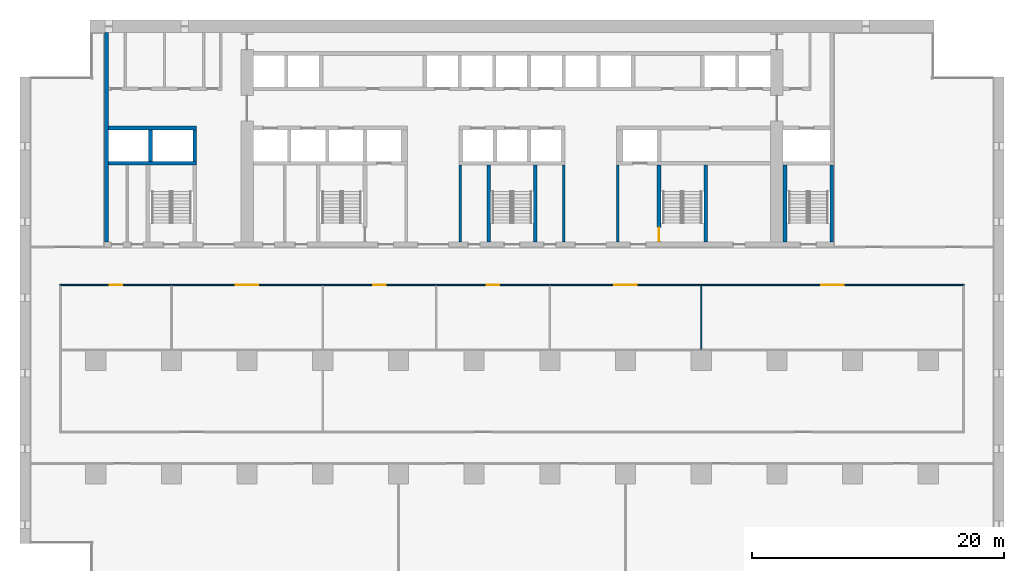
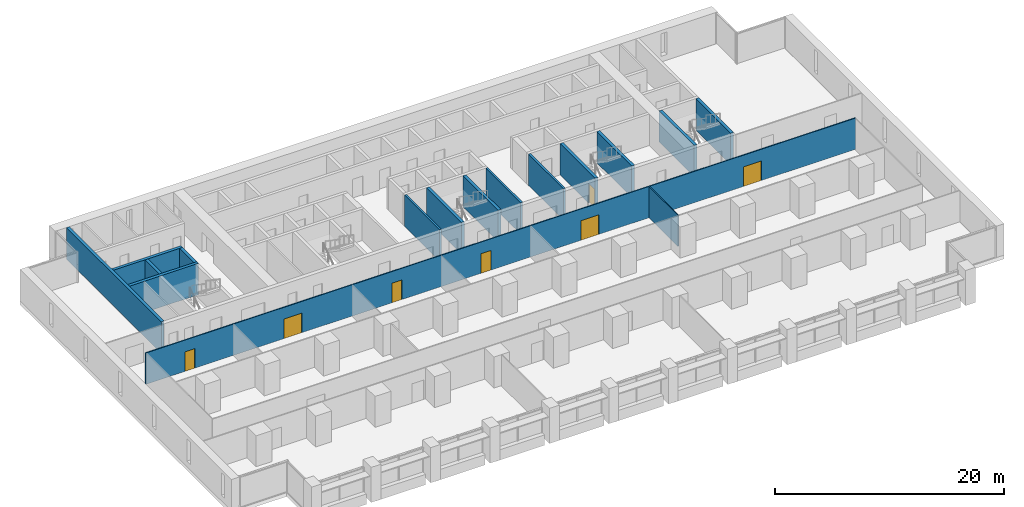
# One storey, part 10 of 17: 16 walls, 7 doors, 7 openings.
"""IFC4 building model written with IfcOpenShell, lengths in metres."""

from ifc_helpers import new_model, si_unit, direction, frame, frame_2d, origin, place, context, subcontext, project, spatial, rectangle, extrude, material, layer, layer_set, type_object, element, fill, save


model = new_model("IFC4")

# Units and contexts
model_context = context("Model", 3, precision=1e-05, world=origin(), true_north=direction((0.0, 1.0)))
body_context = subcontext(model_context, "Body", "Model", "MODEL_VIEW")
ifc_project = project(units=[si_unit("LENGTHUNIT", "METRE"), si_unit("AREAUNIT", "SQUARE_METRE"), si_unit("VOLUMEUNIT", "CUBIC_METRE"), si_unit("PLANEANGLEUNIT", "RADIAN"), si_unit("MASSUNIT", "GRAM", prefix="KILO")], contexts=[model_context])

# Site, building, storey
site_placement = place(None, origin())
site = spatial("IfcSite", under=ifc_project, at=site_placement, CompositionType="ELEMENT")
building_placement = place(site_placement, origin())
building = spatial("IfcBuilding", under=site, at=building_placement, Name="Calvaro Tower", CompositionType="ELEMENT")
storey_placement = place(building_placement, frame((0.0, 0.0, 67.5)))
storey = spatial("IfcBuildingStorey", under=building, at=storey_placement, Name="L16", CompositionType="ELEMENT", Elevation=67.5)

# Walls
ifc_material_1 = material(Name="Blockwork partition", Category="masonry")
ifc_layer_1 = layer(ifc_material_1, 0.199951171875)
ifc_layer_set_1 = layer_set([ifc_layer_1], Name="Blockwork partition")
wall_type_1 = type_object("IfcWallType", Name="Core partition 200 REI 120", PredefinedType="PARTITIONING", material=ifc_layer_set_1)
for number, where, z_axis, x_axis, name in (
    (1, (34.89990234375, 28.39990234375, 0.0), (0.0, 0.0, 1.0), (0.0, 1.0, 0.0), "Core partition"),
    (2, (43.10009765625, 28.39990234375, 0.0), (0.0, 0.0, 1.0), (0.0, 1.0, 0.0), "Core partition"),
    (3, (47.39990234375, 28.39990234375, 0.0), (0.0, 0.0, 1.0), (0.0, 1.0, 0.0), "Core partition"),
):
    element("IfcWall", number, at=place(storey_placement, frame(where, z_axis=z_axis, x_axis=x_axis)), inside=storey, type_object=wall_type_1, Name=name, PredefinedType="PARTITIONING", context=body_context, shape_type="SweptSolid", body=[
        extrude(rectangle(XDim=6.10009765625, YDim=0.199951171875, at=frame_2d((3.050048828125, 0.0))), origin(), (0.0, 0.0, 1.0), 3.35009765625),
    ])
ifc_material_2 = material(Name="Concrete C80/95", Category="concrete")
ifc_layer_2 = layer(ifc_material_2, 0.300048828125)
ifc_layer_set_2 = layer_set([ifc_layer_2], Name="Concrete C80/95")
wall_type_2 = type_object("IfcWallType", Name="Core wall C80/95 300", PredefinedType="SHEAR", material=ifc_layer_set_2)
wall_1_placement = place(storey_placement, frame((6.85009765625, 28.39990234375, 0.0), z_axis=(0.0, 0.0, 1.0), x_axis=(0.0, 1.0, 0.0)))
element("IfcWall", 4, at=wall_1_placement, inside=storey, type_object=wall_type_2, Name="Core wall, boundary", PredefinedType="SHEAR", context=body_context, shape_type="SweptSolid", body=[
    extrude(rectangle(XDim=16.60009765625, YDim=0.300048828125, at=frame_2d((8.300048828125, 0.0))), origin(), (0.0, 0.0, 1.0), 3.35009765625),
])
for number, where, z_axis, x_axis, name in (
    (5, (37.14990234375, 28.39990234375, 0.0), (0.0, 0.0, 1.0), (0.0, 1.0, 0.0), "Core wall, stair enclosure"),
    (6, (40.85009765625, 28.39990234375, 0.0), (0.0, 0.0, 1.0), (0.0, 1.0, 0.0), "Core wall, stair enclosure"),
):
    element("IfcWall", number, at=place(storey_placement, frame(where, z_axis=z_axis, x_axis=x_axis)), inside=storey, type_object=wall_type_2, Name=name, PredefinedType="SHEAR", context=body_context, shape_type="SweptSolid", body=[
        extrude(rectangle(XDim=6.10009765625, YDim=0.300048828125, at=frame_2d((3.050048828125, 0.0))), origin(), (0.0, 0.0, 1.0), 3.35009765625),
    ])

# Wall, opening, door
wall_2_placement = place(storey_placement, frame((50.64990234375, 34.5, 0.0), z_axis=(0.0, 0.0, 1.0), x_axis=(0.0, -1.0, 0.0)))
wall_2 = element("IfcWall", 7, at=wall_2_placement, inside=storey, type_object=wall_type_2, Name="Core wall, stair enclosure", PredefinedType="SHEAR", context=body_context, shape_type="SweptSolid", body=[
    extrude(rectangle(XDim=6.10009765625, YDim=0.300048828125, at=frame_2d((3.050048828125, 0.0))), origin(), (0.0, 0.0, 1.0), 3.35009765625),
])
opening_1_placement = place(wall_2_placement, frame((4.949951171875, 0.0, 0.0)))
opening_1 = element("IfcOpeningElement", 8, at=opening_1_placement, cuts=wall_2, Name="Opening FD11D", PredefinedType="OPENING", context=body_context, shape_type="SweptSolid", body=[
    extrude(rectangle(XDim=1.10009765625, YDim=2.10009765625, at=frame_2d((0.550048828125, 1.050048828125))), frame((0.0, 0.159912109375, 0.0), z_axis=(0.0, -1.0, 0.0), x_axis=(1.0, 0.0, 0.0)), (0.0, 0.0, 1.0), 0.320068359375),
])
ifc_material_3 = material(Name="Steel door set", Category="steel")
door_type_1 = type_object("IfcDoorType", Name="Fire door 1100 FD30S", OperationType="SINGLE_SWING_LEFT", PredefinedType="DOOR", material=ifc_material_3)
door_1_placement = place(opening_1_placement, origin())
door_1 = element("IfcDoor", 9, at=door_1_placement, inside=storey, type_object=door_type_1, Name="Fire door", OperationType="SINGLE_SWING_RIGHT", OverallHeight=2.10009765625, OverallWidth=1.10009765625, PredefinedType="DOOR", context=body_context, shape_type="SweptSolid", body=[
    extrude(rectangle(XDim=1.10009765625, YDim=2.10009765625, at=frame_2d((0.550048828125, 1.050048828125))), frame((0.0, 0.02490234375, 0.0), z_axis=(0.0, -1.0, 0.0), x_axis=(1.0, 0.0, 0.0)), (0.0, 0.0, 1.0), 0.050048828125),
])
fill(opening_1, door_1)

# Walls
for number, where, z_axis, x_axis, name in (
    (10, (54.35009765625, 28.39990234375, 0.0), (0.0, 0.0, 1.0), (0.0, 1.0, 0.0), "Core wall, stair enclosure"),
    (11, (60.64990234375, 28.39990234375, 0.0), (0.0, 0.0, 1.0), (0.0, 1.0, 0.0), "Core wall, stair enclosure"),
    (12, (64.35009765625, 28.39990234375, 0.0), (0.0, 0.0, 1.0), (0.0, 1.0, 0.0), "Core wall, stair enclosure"),
):
    element("IfcWall", number, at=place(storey_placement, frame(where, z_axis=z_axis, x_axis=x_axis)), inside=storey, type_object=wall_type_2, Name=name, PredefinedType="SHEAR", context=body_context, shape_type="SweptSolid", body=[
        extrude(rectangle(XDim=6.10009765625, YDim=0.300048828125, at=frame_2d((3.050048828125, 0.0))), origin(), (0.0, 0.0, 1.0), 3.35009765625),
    ])
for number, where, z_axis, x_axis, name in (
    (13, (7.0, 34.64990234375, 0.0), (0.0, 0.0, 1.0), (1.0, 0.0, 0.0), "Core wall, lift shaft"),
    (14, (7.0, 37.449951171875, 0.0), (0.0, 0.0, 1.0), (1.0, 0.0, 0.0), "Core wall, lift shaft"),
):
    element("IfcWall", number, at=place(storey_placement, frame(where, z_axis=z_axis, x_axis=x_axis)), inside=storey, type_object=wall_type_2, Name=name, PredefinedType="SHEAR", context=body_context, shape_type="SweptSolid", body=[
        extrude(rectangle(XDim=7.0, YDim=0.300048828125, at=frame_2d((3.5, 0.0))), origin(), (0.0, 0.0, 1.0), 3.35009765625),
    ])
for number, where, z_axis, x_axis, name in (
    (15, (13.85009765625, 34.800048828125, 0.0), (0.0, 0.0, 1.0), (0.0, 1.0, 0.0), "Core wall, lift shaft"),
    (16, (10.35009765625, 34.800048828125, 0.0), (0.0, 0.0, 1.0), (0.0, 1.0, 0.0), "Core wall, lift shaft"),
):
    element("IfcWall", number, at=place(storey_placement, frame(where, z_axis=z_axis, x_axis=x_axis)), inside=storey, type_object=wall_type_2, Name=name, PredefinedType="SHEAR", context=body_context, shape_type="SweptSolid", body=[
        extrude(rectangle(XDim=2.5, YDim=0.300048828125, at=frame_2d((1.25, 0.0))), origin(), (0.0, 0.0, 1.0), 3.35009765625),
    ])
ifc_material_4 = material(Name="Plasterboard on steel studs", Category="steel")
ifc_layer_3 = layer(ifc_material_4, 0.10009765625)
ifc_layer_set_3 = layer_set([ifc_layer_3], Name="Plasterboard on steel studs")
wall_type_3 = type_object("IfcWallType", Name="Partition 100", PredefinedType="PARTITIONING", material=ifc_layer_set_3)
wall_3_placement = place(storey_placement, frame((54.0, 19.89990234375, 0.0), z_axis=(0.0, 0.0, 1.0), x_axis=(0.0, 1.0, 0.0)))
element("IfcWall", 17, at=wall_3_placement, inside=storey, type_object=wall_type_3, Name="Partition T13.W015", PredefinedType="PARTITIONING", context=body_context, shape_type="SweptSolid", body=[
    extrude(rectangle(XDim=5.050048828125, YDim=0.10009765625, at=frame_2d((2.52490234375, 0.0))), origin(), (0.0, 0.0, 1.0), 3.35009765625),
])

# Wall, openings, doors
ifc_material_5 = material(Name="Plasterboard on steel studs", Category="steel")
ifc_layer_4 = layer(ifc_material_5, 0.10009765625)
ifc_layer_set_4 = layer_set([ifc_layer_4], Name="Plasterboard on steel studs")
wall_type_4 = type_object("IfcWallType", Name="Partition 100 REI 120", PredefinedType="PARTITIONING", material=ifc_layer_set_4)
wall_4_placement = place(storey_placement, frame((3.14990234375, 25.0, 0.0), z_axis=(0.0, 0.0, 1.0), x_axis=(1.0, 0.0, 0.0)))
wall_4 = element("IfcWall", 18, at=wall_4_placement, inside=storey, type_object=wall_type_4, Name="Partition T13.W004", PredefinedType="PARTITIONING", context=body_context, shape_type="SweptSolid", body=[
    extrude(rectangle(XDim=71.7001953125, YDim=0.10009765625, at=frame_2d((35.85009765625, 0.0))), origin(), (0.0, 0.0, 1.0), 3.35009765625),
])
opening_2_placement = place(wall_4_placement, frame((3.949951171875, 0.0, 0.0)))
opening_2 = element("IfcOpeningElement", 19, at=opening_2_placement, cuts=wall_4, Name="Opening T13.010", PredefinedType="OPENING", context=body_context, shape_type="SweptSolid", body=[
    extrude(rectangle(XDim=1.0, YDim=2.10009765625, at=frame_2d((0.5, 1.050048828125))), frame((0.0, 0.06005859375, 0.0), z_axis=(0.0, -1.0, 0.0), x_axis=(1.0, 0.0, 0.0)), (0.0, 0.0, 1.0), 0.1201171875),
])
opening_3_placement = place(wall_4_placement, frame((13.949951171875, 0.0, 0.0)))
opening_3 = element("IfcOpeningElement", 20, at=opening_3_placement, cuts=wall_4, Name="Opening T13.011", PredefinedType="OPENING", context=body_context, shape_type="SweptSolid", body=[
    extrude(rectangle(XDim=1.800048828125, YDim=2.10009765625, at=frame_2d((0.89990234375, 1.050048828125))), frame((0.0, 0.06005859375, 0.0), z_axis=(0.0, -1.0, 0.0), x_axis=(1.0, 0.0, 0.0)), (0.0, 0.0, 1.0), 0.1201171875),
])
opening_4_placement = place(wall_4_placement, frame((24.85009765625, 0.0, 0.0)))
opening_4 = element("IfcOpeningElement", 21, at=opening_4_placement, cuts=wall_4, Name="Opening T13.012", PredefinedType="OPENING", context=body_context, shape_type="SweptSolid", body=[
    extrude(rectangle(XDim=1.0, YDim=2.10009765625, at=frame_2d((0.5, 1.050048828125))), frame((0.0, 0.06005859375, 0.0), z_axis=(0.0, -1.0, 0.0), x_axis=(1.0, 0.0, 0.0)), (0.0, 0.0, 1.0), 0.1201171875),
])
opening_5_placement = place(wall_4_placement, frame((33.85009765625, 0.0, 0.0)))
opening_5 = element("IfcOpeningElement", 22, at=opening_5_placement, cuts=wall_4, Name="Opening T13.013", PredefinedType="OPENING", context=body_context, shape_type="SweptSolid", body=[
    extrude(rectangle(XDim=1.0, YDim=2.10009765625, at=frame_2d((0.5, 1.050048828125))), frame((0.0, 0.06005859375, 0.0), z_axis=(0.0, -1.0, 0.0), x_axis=(1.0, 0.0, 0.0)), (0.0, 0.0, 1.0), 0.1201171875),
])
opening_6_placement = place(wall_4_placement, frame((43.949951171875, 0.0, 0.0)))
opening_6 = element("IfcOpeningElement", 23, at=opening_6_placement, cuts=wall_4, Name="Opening T13.014", PredefinedType="OPENING", context=body_context, shape_type="SweptSolid", body=[
    extrude(rectangle(XDim=1.800048828125, YDim=2.10009765625, at=frame_2d((0.89990234375, 1.050048828125))), frame((0.0, 0.06005859375, 0.0), z_axis=(0.0, -1.0, 0.0), x_axis=(1.0, 0.0, 0.0)), (0.0, 0.0, 1.0), 0.1201171875),
])
opening_7_placement = place(wall_4_placement, frame((60.35009765625, 0.0, 0.0)))
opening_7 = element("IfcOpeningElement", 24, at=opening_7_placement, cuts=wall_4, Name="Opening T13.015", PredefinedType="OPENING", context=body_context, shape_type="SweptSolid", body=[
    extrude(rectangle(XDim=1.800048828125, YDim=2.10009765625, at=frame_2d((0.89990234375, 1.050048828125))), frame((0.0, 0.06005859375, 0.0), z_axis=(0.0, -1.0, 0.0), x_axis=(1.0, 0.0, 0.0)), (0.0, 0.0, 1.0), 0.1201171875),
])
ifc_material_6 = material(Name="Timber", Category="wood")
door_type_2 = type_object("IfcDoorType", Name="Internal double door 1800 x 2100", OperationType="DOUBLE_DOOR_SINGLE_SWING", PredefinedType="DOOR", material=ifc_material_6)
door_2_placement = place(opening_3_placement, origin())
door_2 = element("IfcDoor", 25, at=door_2_placement, inside=storey, type_object=door_type_2, Name="Door T13.011", OperationType="DOUBLE_DOOR_SINGLE_SWING", OverallHeight=2.10009765625, OverallWidth=1.800048828125, PredefinedType="DOOR", context=body_context, shape_type="SweptSolid", body=[
    extrude(rectangle(XDim=1.800048828125, YDim=2.10009765625, at=frame_2d((0.89990234375, 1.050048828125))), frame((0.0, 0.02490234375, 0.0), z_axis=(0.0, -1.0, 0.0), x_axis=(1.0, 0.0, 0.0)), (0.0, 0.0, 1.0), 0.050048828125),
])
fill(opening_3, door_2)
door_3_placement = place(opening_6_placement, origin())
door_3 = element("IfcDoor", 26, at=door_3_placement, inside=storey, type_object=door_type_2, Name="Door T13.014", OperationType="DOUBLE_DOOR_SINGLE_SWING", OverallHeight=2.10009765625, OverallWidth=1.800048828125, PredefinedType="DOOR", context=body_context, shape_type="SweptSolid", body=[
    extrude(rectangle(XDim=1.800048828125, YDim=2.10009765625, at=frame_2d((0.89990234375, 1.050048828125))), frame((0.0, 0.02490234375, 0.0), z_axis=(0.0, -1.0, 0.0), x_axis=(1.0, 0.0, 0.0)), (0.0, 0.0, 1.0), 0.050048828125),
])
fill(opening_6, door_3)
door_4_placement = place(opening_7_placement, origin())
door_4 = element("IfcDoor", 27, at=door_4_placement, inside=storey, type_object=door_type_2, Name="Door T13.015", OperationType="DOUBLE_DOOR_SINGLE_SWING", OverallHeight=2.10009765625, OverallWidth=1.800048828125, PredefinedType="DOOR", context=body_context, shape_type="SweptSolid", body=[
    extrude(rectangle(XDim=1.800048828125, YDim=2.10009765625, at=frame_2d((0.89990234375, 1.050048828125))), frame((0.0, 0.02490234375, 0.0), z_axis=(0.0, -1.0, 0.0), x_axis=(1.0, 0.0, 0.0)), (0.0, 0.0, 1.0), 0.050048828125),
])
fill(opening_7, door_4)
ifc_material_7 = material(Name="Timber", Category="wood")
door_type_3 = type_object("IfcDoorType", Name="Internal single door 1000 x 2100", OperationType="SINGLE_SWING_LEFT", PredefinedType="DOOR", material=ifc_material_7)
door_5_placement = place(opening_2_placement, origin())
door_5 = element("IfcDoor", 28, at=door_5_placement, inside=storey, type_object=door_type_3, Name="Door T13.010", OperationType="SINGLE_SWING_LEFT", OverallHeight=2.10009765625, OverallWidth=1.0, PredefinedType="DOOR", context=body_context, shape_type="SweptSolid", body=[
    extrude(rectangle(XDim=1.0, YDim=2.10009765625, at=frame_2d((0.5, 1.050048828125))), frame((0.0, 0.02490234375, 0.0), z_axis=(0.0, -1.0, 0.0), x_axis=(1.0, 0.0, 0.0)), (0.0, 0.0, 1.0), 0.050048828125),
])
fill(opening_2, door_5)
door_6_placement = place(opening_4_placement, origin())
door_6 = element("IfcDoor", 29, at=door_6_placement, inside=storey, type_object=door_type_3, Name="Door T13.012", OperationType="SINGLE_SWING_LEFT", OverallHeight=2.10009765625, OverallWidth=1.0, PredefinedType="DOOR", context=body_context, shape_type="SweptSolid", body=[
    extrude(rectangle(XDim=1.0, YDim=2.10009765625, at=frame_2d((0.5, 1.050048828125))), frame((0.0, 0.02490234375, 0.0), z_axis=(0.0, -1.0, 0.0), x_axis=(1.0, 0.0, 0.0)), (0.0, 0.0, 1.0), 0.050048828125),
])
fill(opening_4, door_6)
ifc_material_8 = material(Name="Timber", Category="wood")
door_type_4 = type_object("IfcDoorType", Name="Internal single door 1000 x 2100 FD60", OperationType="SINGLE_SWING_LEFT", PredefinedType="DOOR", material=ifc_material_8)
door_7_placement = place(opening_5_placement, origin())
door_7 = element("IfcDoor", 30, at=door_7_placement, inside=storey, type_object=door_type_4, Name="Door T13.013", OperationType="SINGLE_SWING_LEFT", OverallHeight=2.10009765625, OverallWidth=1.0, PredefinedType="DOOR", context=body_context, shape_type="SweptSolid", body=[
    extrude(rectangle(XDim=1.0, YDim=2.10009765625, at=frame_2d((0.5, 1.050048828125))), frame((0.0, 0.02490234375, 0.0), z_axis=(0.0, -1.0, 0.0), x_axis=(1.0, 0.0, 0.0)), (0.0, 0.0, 1.0), 0.050048828125),
])
fill(opening_5, door_7)

save(model, "model.ifc")
